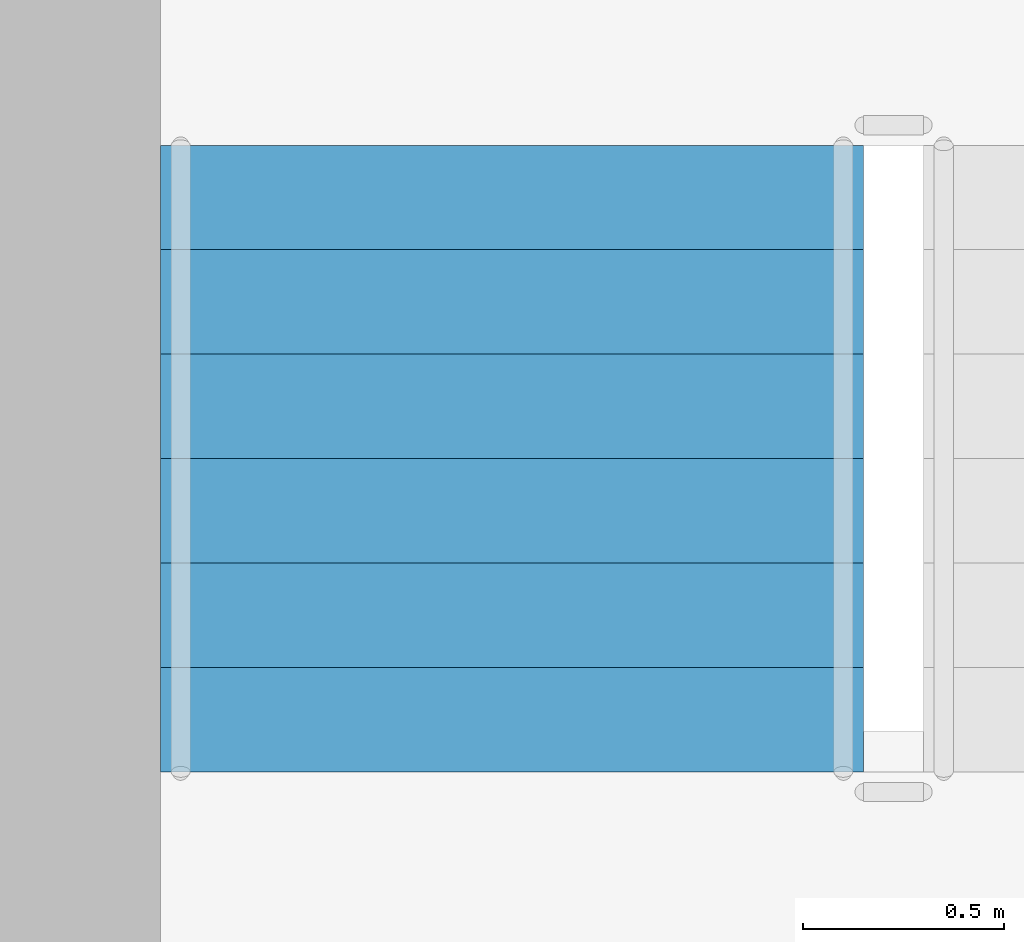
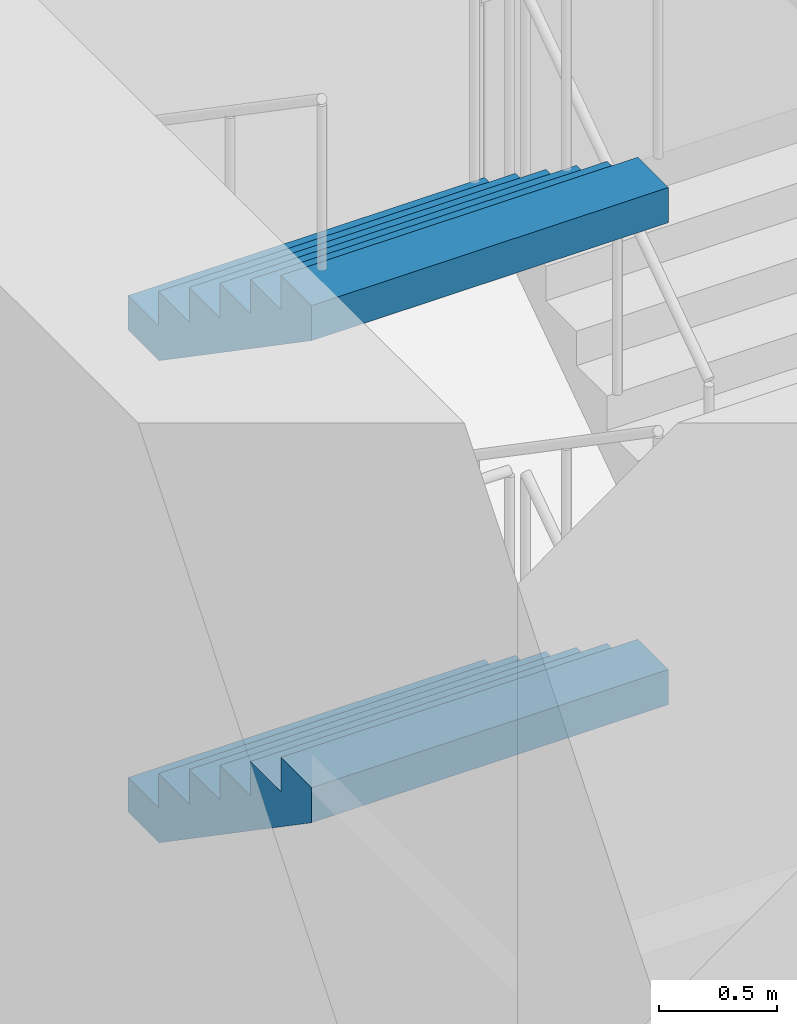
# One storey, part 40 of 59: 2 stair flights, 1 element without a shape of its own.
"""IFC4 building model written with IfcOpenShell, lengths in metres."""

from ifc_helpers import new_model, si_unit, direction, frame, origin, place, context, subcontext, project, spatial, faceted_brep, material, type_object, element, aggregate, save


model = new_model("IFC4")

# Units and contexts
model_context = context("Model", 3, precision=1e-05, world=origin(), true_north=direction((0.0, 1.0)))
body_context = subcontext(model_context, "Body", "Model", "MODEL_VIEW")
ifc_project = project(units=[si_unit("LENGTHUNIT", "METRE"), si_unit("AREAUNIT", "SQUARE_METRE"), si_unit("VOLUMEUNIT", "CUBIC_METRE"), si_unit("PLANEANGLEUNIT", "RADIAN"), si_unit("MASSUNIT", "GRAM", prefix="KILO")], contexts=[model_context])

# Site, building, storey
site_placement = place(None, origin())
site = spatial("IfcSite", under=ifc_project, at=site_placement, CompositionType="ELEMENT")
building_placement = place(site_placement, origin())
building = spatial("IfcBuilding", under=site, at=building_placement, Name="Ipe Terrace Towers", CompositionType="ELEMENT")
storey_placement = place(building_placement, frame((0.0, 0.0, 6.0)))
storey = spatial("IfcBuildingStorey", under=building, at=storey_placement, Name="L01", CompositionType="ELEMENT", Elevation=6.0)

# Stair, stair flights
ifc_material_1 = material(Name="Concrete C30/37", Category="concrete")
stair_type = type_object("IfcStairType", Name="Protected exit stair", PredefinedType="HALF_TURN_STAIR", material=ifc_material_1)
stair_placement = place(storey_placement, origin())
stair = element("IfcStair", 1, at=stair_placement, inside=storey, type_object=stair_type, Name="L01 Exit stair T2-C1", PredefinedType="HALF_TURN_STAIR")
ifc_material_2 = material(Name="Concrete C30/37", Category="concrete")
stair_flight_type = type_object("IfcStairFlightType", Name="Exit stair flight 1750", PredefinedType="STRAIGHT", material=ifc_material_2)
stair_flight_1_placement = place(storey_placement, frame((31.324951171875, 11.260009765625, 1.25), z_axis=(0.0, 0.0, 1.0), x_axis=(0.0, -1.0, 0.0)))
stair_flight_1 = element("IfcStairFlight", 2, at=stair_flight_1_placement, type_object=stair_flight_type, Name="T2-ST1 flight 2", NumberOfRisers=7, NumberOfTreads=6, PredefinedType="STRAIGHT", RiserHeight=0.178571429, TreadLength=0.26, context=body_context, shape_type="Brep", body=[
    faceted_brep([(0.264892578125, -0.875, 0.0), (1.56005859375, -0.875, 0.8896484375), (1.56005859375, -0.875, 1.071533203125), (1.300048828125, -0.875, 1.071533203125), (1.300048828125, -0.875, 0.892822265625), (1.0400390625, -0.875, 0.892822265625), (1.0400390625, -0.875, 0.71435546875), (0.780029296875, -0.875, 0.71435546875), (0.780029296875, -0.875, 0.53564453125), (0.52001953125, -0.875, 0.53564453125), (0.52001953125, -0.875, 0.357177734375), (0.260009765625, -0.875, 0.357177734375), (0.260009765625, -0.875, 0.178466796875), (0.0, -0.875, 0.178466796875), (0.0, -0.875, 0.0), (0.0, 0.875, 0.0), (0.0, 0.875, 0.178466796875), (0.260009765625, 0.875, 0.178466796875), (0.260009765625, 0.875, 0.357177734375), (0.52001953125, 0.875, 0.357177734375), (0.52001953125, 0.875, 0.53564453125), (0.780029296875, 0.875, 0.53564453125), (0.780029296875, 0.875, 0.71435546875), (1.0400390625, 0.875, 0.71435546875), (1.0400390625, 0.875, 0.892822265625), (1.300048828125, 0.875, 0.892822265625), (1.300048828125, 0.875, 1.071533203125), (1.56005859375, 0.875, 1.071533203125), (1.56005859375, 0.875, 0.8896484375), (0.264892578125, 0.875, 0.0), (0.0, -0.300048828125, 0.178466796875), (0.0, -0.1201171875, 0.178466796875), (0.0, -0.06005859375, 0.178466796875), (0.0, -0.030029296875, 0.178466796875), (0.0, -0.010009765625, 0.178466796875), (0.0, 0.0, 0.178466796875), (0.0, 0.010009765625, 0.178466796875), (0.0, 0.030029296875, 0.178466796875), (0.0, 0.06005859375, 0.178466796875), (0.0, 0.1201171875, 0.178466796875), (0.0, 0.300048828125, 0.178466796875), (0.0, 0.300048828125, 0.0), (0.0, 0.1201171875, 0.0), (0.0, 0.06005859375, 0.0), (0.0, 0.030029296875, 0.0), (0.0, 0.010009765625, 0.0), (0.0, 0.0, 0.0), (0.0, -0.010009765625, 0.0), (0.0, -0.030029296875, 0.0), (0.0, -0.06005859375, 0.0), (0.0, -0.1201171875, 0.0), (0.0, -0.300048828125, 0.0), (0.260009765625, -0.300048828125, 0.178466796875), (0.260009765625, -0.1201171875, 0.178466796875), (0.260009765625, -0.06005859375, 0.178466796875), (0.260009765625, -0.030029296875, 0.178466796875), (0.260009765625, -0.010009765625, 0.178466796875), (0.260009765625, 0.0, 0.178466796875), (0.260009765625, 0.010009765625, 0.178466796875), (0.260009765625, 0.030029296875, 0.178466796875), (0.260009765625, 0.06005859375, 0.178466796875), (0.260009765625, 0.1201171875, 0.178466796875), (0.260009765625, 0.300048828125, 0.178466796875), (0.260009765625, -0.300048828125, 0.357177734375), (0.260009765625, -0.1201171875, 0.357177734375), (0.260009765625, -0.06005859375, 0.357177734375), (0.260009765625, -0.030029296875, 0.357177734375), (0.260009765625, -0.010009765625, 0.357177734375), (0.260009765625, 0.0, 0.357177734375), (0.260009765625, 0.010009765625, 0.357177734375), (0.260009765625, 0.030029296875, 0.357177734375), (0.260009765625, 0.06005859375, 0.357177734375), (0.260009765625, 0.1201171875, 0.357177734375), (0.260009765625, 0.300048828125, 0.357177734375), (0.52001953125, -0.300048828125, 0.357177734375), (0.52001953125, -0.1201171875, 0.357177734375), (0.52001953125, -0.06005859375, 0.357177734375), (0.52001953125, -0.030029296875, 0.357177734375), (0.52001953125, -0.010009765625, 0.357177734375), (0.52001953125, 0.0, 0.357177734375), (0.52001953125, 0.010009765625, 0.357177734375), (0.52001953125, 0.030029296875, 0.357177734375), (0.52001953125, 0.06005859375, 0.357177734375), (0.52001953125, 0.1201171875, 0.357177734375), (0.52001953125, 0.300048828125, 0.357177734375), (0.52001953125, -0.300048828125, 0.53564453125), (0.52001953125, -0.1201171875, 0.53564453125), (0.52001953125, -0.06005859375, 0.53564453125), (0.52001953125, -0.030029296875, 0.53564453125), (0.52001953125, -0.010009765625, 0.53564453125), (0.52001953125, 0.0, 0.53564453125), (0.52001953125, 0.010009765625, 0.53564453125), (0.52001953125, 0.030029296875, 0.53564453125), (0.52001953125, 0.06005859375, 0.53564453125), (0.52001953125, 0.1201171875, 0.53564453125), (0.52001953125, 0.300048828125, 0.53564453125), (0.780029296875, -0.300048828125, 0.53564453125), (0.780029296875, -0.1201171875, 0.53564453125), (0.780029296875, -0.06005859375, 0.53564453125), (0.780029296875, -0.030029296875, 0.53564453125), (0.780029296875, -0.010009765625, 0.53564453125), (0.780029296875, 0.0, 0.53564453125), (0.780029296875, 0.010009765625, 0.53564453125), (0.780029296875, 0.030029296875, 0.53564453125), (0.780029296875, 0.06005859375, 0.53564453125), (0.780029296875, 0.1201171875, 0.53564453125), (0.780029296875, 0.300048828125, 0.53564453125), (0.780029296875, -0.300048828125, 0.71435546875), (0.780029296875, -0.1201171875, 0.71435546875), (0.780029296875, -0.06005859375, 0.71435546875), (0.780029296875, -0.030029296875, 0.71435546875), (0.780029296875, -0.010009765625, 0.71435546875), (0.780029296875, 0.0, 0.71435546875), (0.780029296875, 0.010009765625, 0.71435546875), (0.780029296875, 0.030029296875, 0.71435546875), (0.780029296875, 0.06005859375, 0.71435546875), (0.780029296875, 0.1201171875, 0.71435546875), (0.780029296875, 0.300048828125, 0.71435546875), (1.0400390625, -0.300048828125, 0.71435546875), (1.0400390625, -0.1201171875, 0.71435546875), (1.0400390625, -0.06005859375, 0.71435546875), (1.0400390625, -0.030029296875, 0.71435546875), (1.0400390625, -0.010009765625, 0.71435546875), (1.0400390625, 0.0, 0.71435546875), (1.0400390625, 0.010009765625, 0.71435546875), (1.0400390625, 0.030029296875, 0.71435546875), (1.0400390625, 0.06005859375, 0.71435546875), (1.0400390625, 0.1201171875, 0.71435546875), (1.0400390625, 0.300048828125, 0.71435546875), (1.0400390625, -0.300048828125, 0.892822265625), (1.0400390625, -0.1201171875, 0.892822265625), (1.0400390625, -0.06005859375, 0.892822265625), (1.0400390625, -0.030029296875, 0.892822265625), (1.0400390625, -0.010009765625, 0.892822265625), (1.0400390625, 0.0, 0.892822265625), (1.0400390625, 0.010009765625, 0.892822265625), (1.0400390625, 0.030029296875, 0.892822265625), (1.0400390625, 0.06005859375, 0.892822265625), (1.0400390625, 0.1201171875, 0.892822265625), (1.0400390625, 0.300048828125, 0.892822265625), (1.300048828125, -0.300048828125, 0.892822265625), (1.300048828125, -0.1201171875, 0.892822265625), (1.300048828125, -0.06005859375, 0.892822265625), (1.300048828125, -0.030029296875, 0.892822265625), (1.300048828125, -0.010009765625, 0.892822265625), (1.300048828125, 0.0, 0.892822265625), (1.300048828125, 0.010009765625, 0.892822265625), (1.300048828125, 0.030029296875, 0.892822265625), (1.300048828125, 0.06005859375, 0.892822265625), (1.300048828125, 0.1201171875, 0.892822265625), (1.300048828125, 0.300048828125, 0.892822265625), (1.300048828125, -0.300048828125, 1.071533203125), (1.300048828125, -0.1201171875, 1.071533203125), (1.300048828125, -0.06005859375, 1.071533203125), (1.300048828125, -0.030029296875, 1.071533203125), (1.300048828125, -0.010009765625, 1.071533203125), (1.300048828125, 0.0, 1.071533203125), (1.300048828125, 0.010009765625, 1.071533203125), (1.300048828125, 0.030029296875, 1.071533203125), (1.300048828125, 0.06005859375, 1.071533203125), (1.300048828125, 0.1201171875, 1.071533203125), (1.300048828125, 0.300048828125, 1.071533203125), (1.56005859375, -0.300048828125, 1.071533203125), (1.56005859375, -0.1201171875, 1.071533203125), (1.56005859375, -0.06005859375, 1.071533203125), (1.56005859375, -0.030029296875, 1.071533203125), (1.56005859375, -0.010009765625, 1.071533203125), (1.56005859375, 0.0, 1.071533203125), (1.56005859375, 0.010009765625, 1.071533203125), (1.56005859375, 0.030029296875, 1.071533203125), (1.56005859375, 0.06005859375, 1.071533203125), (1.56005859375, 0.1201171875, 1.071533203125), (1.56005859375, 0.300048828125, 1.071533203125), (1.56005859375, -0.300048828125, 0.8896484375), (1.56005859375, -0.1201171875, 0.8896484375), (1.56005859375, -0.06005859375, 0.8896484375), (1.56005859375, -0.030029296875, 0.8896484375), (1.56005859375, -0.010009765625, 0.8896484375), (1.56005859375, 0.0, 0.8896484375), (1.56005859375, 0.010009765625, 0.8896484375), (1.56005859375, 0.030029296875, 0.8896484375), (1.56005859375, 0.06005859375, 0.8896484375), (1.56005859375, 0.1201171875, 0.8896484375), (1.56005859375, 0.300048828125, 0.8896484375), (0.264892578125, -0.300048828125, 0.0), (0.264892578125, -0.1201171875, 0.0), (0.264892578125, -0.06005859375, 0.0), (0.264892578125, -0.030029296875, 0.0), (0.264892578125, -0.010009765625, 0.0), (0.264892578125, 0.0, 0.0), (0.264892578125, 0.010009765625, 0.0), (0.264892578125, 0.030029296875, 0.0), (0.264892578125, 0.06005859375, 0.0), (0.264892578125, 0.1201171875, 0.0), (0.264892578125, 0.300048828125, 0.0)], [[[0, 1, 2, 3, 4, 5, 6, 7, 8, 9, 10, 11, 12, 13, 14]], [[15, 16, 17, 18, 19, 20, 21, 22, 23, 24, 25, 26, 27, 28, 29]], [[13, 30, 31, 32, 33, 34, 35, 36, 37, 38, 39, 40, 16, 15, 41, 42, 43, 44, 45, 46, 47, 48, 49, 50, 51, 14]], [[12, 52, 53, 54, 55, 56, 57, 58, 59, 60, 61, 62, 17, 16, 40, 39, 38, 37, 36, 35, 34, 33, 32, 31, 30, 13]], [[11, 63, 64, 65, 66, 67, 68, 69, 70, 71, 72, 73, 18, 17, 62, 61, 60, 59, 58, 57, 56, 55, 54, 53, 52, 12]], [[10, 74, 75, 76, 77, 78, 79, 80, 81, 82, 83, 84, 19, 18, 73, 72, 71, 70, 69, 68, 67, 66, 65, 64, 63, 11]], [[9, 85, 86, 87, 88, 89, 90, 91, 92, 93, 94, 95, 20, 19, 84, 83, 82, 81, 80, 79, 78, 77, 76, 75, 74, 10]], [[8, 96, 97, 98, 99, 100, 101, 102, 103, 104, 105, 106, 21, 20, 95, 94, 93, 92, 91, 90, 89, 88, 87, 86, 85, 9]], [[7, 107, 108, 109, 110, 111, 112, 113, 114, 115, 116, 117, 22, 21, 106, 105, 104, 103, 102, 101, 100, 99, 98, 97, 96, 8]], [[6, 118, 119, 120, 121, 122, 123, 124, 125, 126, 127, 128, 23, 22, 117, 116, 115, 114, 113, 112, 111, 110, 109, 108, 107, 7]], [[5, 129, 130, 131, 132, 133, 134, 135, 136, 137, 138, 139, 24, 23, 128, 127, 126, 125, 124, 123, 122, 121, 120, 119, 118, 6]], [[4, 140, 141, 142, 143, 144, 145, 146, 147, 148, 149, 150, 25, 24, 139, 138, 137, 136, 135, 134, 133, 132, 131, 130, 129, 5]], [[3, 151, 152, 153, 154, 155, 156, 157, 158, 159, 160, 161, 26, 25, 150, 149, 148, 147, 146, 145, 144, 143, 142, 141, 140, 4]], [[2, 162, 163, 164, 165, 166, 167, 168, 169, 170, 171, 172, 27, 26, 161, 160, 159, 158, 157, 156, 155, 154, 153, 152, 151, 3]], [[1, 173, 174, 175, 176, 177, 178, 179, 180, 181, 182, 183, 28, 27, 172, 171, 170, 169, 168, 167, 166, 165, 164, 163, 162, 2]], [[0, 184, 185, 186, 187, 188, 189, 190, 191, 192, 193, 194, 29, 28, 183, 182, 181, 180, 179, 178, 177, 176, 175, 174, 173, 1]], [[14, 51, 50, 49, 48, 47, 46, 45, 44, 43, 42, 41, 15, 29, 194, 193, 192, 191, 190, 189, 188, 187, 186, 185, 184, 0]]]),
])
stair_flight_2_placement = place(storey_placement, frame((31.324951171875, 11.260009765625, 3.75), z_axis=(0.0, 0.0, 1.0), x_axis=(0.0, -1.0, 0.0)))
stair_flight_2 = element("IfcStairFlight", 3, at=stair_flight_2_placement, type_object=stair_flight_type, Name="T2-ST1 flight 4", NumberOfRisers=7, NumberOfTreads=6, PredefinedType="STRAIGHT", RiserHeight=0.178571429, TreadLength=0.26, context=body_context, shape_type="Brep", body=[
    faceted_brep([(0.264892578125, -0.875, 0.0), (1.56005859375, -0.875, 0.8896484375), (1.56005859375, -0.875, 1.071533203125), (1.300048828125, -0.875, 1.071533203125), (1.300048828125, -0.875, 0.892822265625), (1.0400390625, -0.875, 0.892822265625), (1.0400390625, -0.875, 0.71435546875), (0.780029296875, -0.875, 0.71435546875), (0.780029296875, -0.875, 0.53564453125), (0.52001953125, -0.875, 0.53564453125), (0.52001953125, -0.875, 0.357177734375), (0.260009765625, -0.875, 0.357177734375), (0.260009765625, -0.875, 0.178466796875), (0.0, -0.875, 0.178466796875), (0.0, -0.875, 0.0), (0.0, 0.875, 0.0), (0.0, 0.875, 0.178466796875), (0.260009765625, 0.875, 0.178466796875), (0.260009765625, 0.875, 0.357177734375), (0.52001953125, 0.875, 0.357177734375), (0.52001953125, 0.875, 0.53564453125), (0.780029296875, 0.875, 0.53564453125), (0.780029296875, 0.875, 0.71435546875), (1.0400390625, 0.875, 0.71435546875), (1.0400390625, 0.875, 0.892822265625), (1.300048828125, 0.875, 0.892822265625), (1.300048828125, 0.875, 1.071533203125), (1.56005859375, 0.875, 1.071533203125), (1.56005859375, 0.875, 0.8896484375), (0.264892578125, 0.875, 0.0), (0.0, -0.300048828125, 0.178466796875), (0.0, -0.1201171875, 0.178466796875), (0.0, -0.06005859375, 0.178466796875), (0.0, -0.030029296875, 0.178466796875), (0.0, -0.010009765625, 0.178466796875), (0.0, 0.0, 0.178466796875), (0.0, 0.010009765625, 0.178466796875), (0.0, 0.030029296875, 0.178466796875), (0.0, 0.06005859375, 0.178466796875), (0.0, 0.1201171875, 0.178466796875), (0.0, 0.300048828125, 0.178466796875), (0.0, 0.300048828125, 0.0), (0.0, 0.1201171875, 0.0), (0.0, 0.06005859375, 0.0), (0.0, 0.030029296875, 0.0), (0.0, 0.010009765625, 0.0), (0.0, 0.0, 0.0), (0.0, -0.010009765625, 0.0), (0.0, -0.030029296875, 0.0), (0.0, -0.06005859375, 0.0), (0.0, -0.1201171875, 0.0), (0.0, -0.300048828125, 0.0), (0.260009765625, -0.300048828125, 0.178466796875), (0.260009765625, -0.1201171875, 0.178466796875), (0.260009765625, -0.06005859375, 0.178466796875), (0.260009765625, -0.030029296875, 0.178466796875), (0.260009765625, -0.010009765625, 0.178466796875), (0.260009765625, 0.0, 0.178466796875), (0.260009765625, 0.010009765625, 0.178466796875), (0.260009765625, 0.030029296875, 0.178466796875), (0.260009765625, 0.06005859375, 0.178466796875), (0.260009765625, 0.1201171875, 0.178466796875), (0.260009765625, 0.300048828125, 0.178466796875), (0.260009765625, -0.300048828125, 0.357177734375), (0.260009765625, -0.1201171875, 0.357177734375), (0.260009765625, -0.06005859375, 0.357177734375), (0.260009765625, -0.030029296875, 0.357177734375), (0.260009765625, -0.010009765625, 0.357177734375), (0.260009765625, 0.0, 0.357177734375), (0.260009765625, 0.010009765625, 0.357177734375), (0.260009765625, 0.030029296875, 0.357177734375), (0.260009765625, 0.06005859375, 0.357177734375), (0.260009765625, 0.1201171875, 0.357177734375), (0.260009765625, 0.300048828125, 0.357177734375), (0.52001953125, -0.300048828125, 0.357177734375), (0.52001953125, -0.1201171875, 0.357177734375), (0.52001953125, -0.06005859375, 0.357177734375), (0.52001953125, -0.030029296875, 0.357177734375), (0.52001953125, -0.010009765625, 0.357177734375), (0.52001953125, 0.0, 0.357177734375), (0.52001953125, 0.010009765625, 0.357177734375), (0.52001953125, 0.030029296875, 0.357177734375), (0.52001953125, 0.06005859375, 0.357177734375), (0.52001953125, 0.1201171875, 0.357177734375), (0.52001953125, 0.300048828125, 0.357177734375), (0.52001953125, -0.300048828125, 0.53564453125), (0.52001953125, -0.1201171875, 0.53564453125), (0.52001953125, -0.06005859375, 0.53564453125), (0.52001953125, -0.030029296875, 0.53564453125), (0.52001953125, -0.010009765625, 0.53564453125), (0.52001953125, 0.0, 0.53564453125), (0.52001953125, 0.010009765625, 0.53564453125), (0.52001953125, 0.030029296875, 0.53564453125), (0.52001953125, 0.06005859375, 0.53564453125), (0.52001953125, 0.1201171875, 0.53564453125), (0.52001953125, 0.300048828125, 0.53564453125), (0.780029296875, -0.300048828125, 0.53564453125), (0.780029296875, -0.1201171875, 0.53564453125), (0.780029296875, -0.06005859375, 0.53564453125), (0.780029296875, -0.030029296875, 0.53564453125), (0.780029296875, -0.010009765625, 0.53564453125), (0.780029296875, 0.0, 0.53564453125), (0.780029296875, 0.010009765625, 0.53564453125), (0.780029296875, 0.030029296875, 0.53564453125), (0.780029296875, 0.06005859375, 0.53564453125), (0.780029296875, 0.1201171875, 0.53564453125), (0.780029296875, 0.300048828125, 0.53564453125), (0.780029296875, -0.300048828125, 0.71435546875), (0.780029296875, -0.1201171875, 0.71435546875), (0.780029296875, -0.06005859375, 0.71435546875), (0.780029296875, -0.030029296875, 0.71435546875), (0.780029296875, -0.010009765625, 0.71435546875), (0.780029296875, 0.0, 0.71435546875), (0.780029296875, 0.010009765625, 0.71435546875), (0.780029296875, 0.030029296875, 0.71435546875), (0.780029296875, 0.06005859375, 0.71435546875), (0.780029296875, 0.1201171875, 0.71435546875), (0.780029296875, 0.300048828125, 0.71435546875), (1.0400390625, -0.300048828125, 0.71435546875), (1.0400390625, -0.1201171875, 0.71435546875), (1.0400390625, -0.06005859375, 0.71435546875), (1.0400390625, -0.030029296875, 0.71435546875), (1.0400390625, -0.010009765625, 0.71435546875), (1.0400390625, 0.0, 0.71435546875), (1.0400390625, 0.010009765625, 0.71435546875), (1.0400390625, 0.030029296875, 0.71435546875), (1.0400390625, 0.06005859375, 0.71435546875), (1.0400390625, 0.1201171875, 0.71435546875), (1.0400390625, 0.300048828125, 0.71435546875), (1.0400390625, -0.300048828125, 0.892822265625), (1.0400390625, -0.1201171875, 0.892822265625), (1.0400390625, -0.06005859375, 0.892822265625), (1.0400390625, -0.030029296875, 0.892822265625), (1.0400390625, -0.010009765625, 0.892822265625), (1.0400390625, 0.0, 0.892822265625), (1.0400390625, 0.010009765625, 0.892822265625), (1.0400390625, 0.030029296875, 0.892822265625), (1.0400390625, 0.06005859375, 0.892822265625), (1.0400390625, 0.1201171875, 0.892822265625), (1.0400390625, 0.300048828125, 0.892822265625), (1.300048828125, -0.300048828125, 0.892822265625), (1.300048828125, -0.1201171875, 0.892822265625), (1.300048828125, -0.06005859375, 0.892822265625), (1.300048828125, -0.030029296875, 0.892822265625), (1.300048828125, -0.010009765625, 0.892822265625), (1.300048828125, 0.0, 0.892822265625), (1.300048828125, 0.010009765625, 0.892822265625), (1.300048828125, 0.030029296875, 0.892822265625), (1.300048828125, 0.06005859375, 0.892822265625), (1.300048828125, 0.1201171875, 0.892822265625), (1.300048828125, 0.300048828125, 0.892822265625), (1.300048828125, -0.300048828125, 1.071533203125), (1.300048828125, -0.1201171875, 1.071533203125), (1.300048828125, -0.06005859375, 1.071533203125), (1.300048828125, -0.030029296875, 1.071533203125), (1.300048828125, -0.010009765625, 1.071533203125), (1.300048828125, 0.0, 1.071533203125), (1.300048828125, 0.010009765625, 1.071533203125), (1.300048828125, 0.030029296875, 1.071533203125), (1.300048828125, 0.06005859375, 1.071533203125), (1.300048828125, 0.1201171875, 1.071533203125), (1.300048828125, 0.300048828125, 1.071533203125), (1.56005859375, -0.300048828125, 1.071533203125), (1.56005859375, -0.1201171875, 1.071533203125), (1.56005859375, -0.06005859375, 1.071533203125), (1.56005859375, -0.030029296875, 1.071533203125), (1.56005859375, -0.010009765625, 1.071533203125), (1.56005859375, 0.0, 1.071533203125), (1.56005859375, 0.010009765625, 1.071533203125), (1.56005859375, 0.030029296875, 1.071533203125), (1.56005859375, 0.06005859375, 1.071533203125), (1.56005859375, 0.1201171875, 1.071533203125), (1.56005859375, 0.300048828125, 1.071533203125), (1.56005859375, -0.300048828125, 0.8896484375), (1.56005859375, -0.1201171875, 0.8896484375), (1.56005859375, -0.06005859375, 0.8896484375), (1.56005859375, -0.030029296875, 0.8896484375), (1.56005859375, -0.010009765625, 0.8896484375), (1.56005859375, 0.0, 0.8896484375), (1.56005859375, 0.010009765625, 0.8896484375), (1.56005859375, 0.030029296875, 0.8896484375), (1.56005859375, 0.06005859375, 0.8896484375), (1.56005859375, 0.1201171875, 0.8896484375), (1.56005859375, 0.300048828125, 0.8896484375), (0.264892578125, -0.300048828125, 0.0), (0.264892578125, -0.1201171875, 0.0), (0.264892578125, -0.06005859375, 0.0), (0.264892578125, -0.030029296875, 0.0), (0.264892578125, -0.010009765625, 0.0), (0.264892578125, 0.0, 0.0), (0.264892578125, 0.010009765625, 0.0), (0.264892578125, 0.030029296875, 0.0), (0.264892578125, 0.06005859375, 0.0), (0.264892578125, 0.1201171875, 0.0), (0.264892578125, 0.300048828125, 0.0)], [[[0, 1, 2, 3, 4, 5, 6, 7, 8, 9, 10, 11, 12, 13, 14]], [[15, 16, 17, 18, 19, 20, 21, 22, 23, 24, 25, 26, 27, 28, 29]], [[13, 30, 31, 32, 33, 34, 35, 36, 37, 38, 39, 40, 16, 15, 41, 42, 43, 44, 45, 46, 47, 48, 49, 50, 51, 14]], [[12, 52, 53, 54, 55, 56, 57, 58, 59, 60, 61, 62, 17, 16, 40, 39, 38, 37, 36, 35, 34, 33, 32, 31, 30, 13]], [[11, 63, 64, 65, 66, 67, 68, 69, 70, 71, 72, 73, 18, 17, 62, 61, 60, 59, 58, 57, 56, 55, 54, 53, 52, 12]], [[10, 74, 75, 76, 77, 78, 79, 80, 81, 82, 83, 84, 19, 18, 73, 72, 71, 70, 69, 68, 67, 66, 65, 64, 63, 11]], [[9, 85, 86, 87, 88, 89, 90, 91, 92, 93, 94, 95, 20, 19, 84, 83, 82, 81, 80, 79, 78, 77, 76, 75, 74, 10]], [[8, 96, 97, 98, 99, 100, 101, 102, 103, 104, 105, 106, 21, 20, 95, 94, 93, 92, 91, 90, 89, 88, 87, 86, 85, 9]], [[7, 107, 108, 109, 110, 111, 112, 113, 114, 115, 116, 117, 22, 21, 106, 105, 104, 103, 102, 101, 100, 99, 98, 97, 96, 8]], [[6, 118, 119, 120, 121, 122, 123, 124, 125, 126, 127, 128, 23, 22, 117, 116, 115, 114, 113, 112, 111, 110, 109, 108, 107, 7]], [[5, 129, 130, 131, 132, 133, 134, 135, 136, 137, 138, 139, 24, 23, 128, 127, 126, 125, 124, 123, 122, 121, 120, 119, 118, 6]], [[4, 140, 141, 142, 143, 144, 145, 146, 147, 148, 149, 150, 25, 24, 139, 138, 137, 136, 135, 134, 133, 132, 131, 130, 129, 5]], [[3, 151, 152, 153, 154, 155, 156, 157, 158, 159, 160, 161, 26, 25, 150, 149, 148, 147, 146, 145, 144, 143, 142, 141, 140, 4]], [[2, 162, 163, 164, 165, 166, 167, 168, 169, 170, 171, 172, 27, 26, 161, 160, 159, 158, 157, 156, 155, 154, 153, 152, 151, 3]], [[1, 173, 174, 175, 176, 177, 178, 179, 180, 181, 182, 183, 28, 27, 172, 171, 170, 169, 168, 167, 166, 165, 164, 163, 162, 2]], [[0, 184, 185, 186, 187, 188, 189, 190, 191, 192, 193, 194, 29, 28, 183, 182, 181, 180, 179, 178, 177, 176, 175, 174, 173, 1]], [[14, 51, 50, 49, 48, 47, 46, 45, 44, 43, 42, 41, 15, 29, 194, 193, 192, 191, 190, 189, 188, 187, 186, 185, 184, 0]]]),
])
aggregate(stair, [stair_flight_1, stair_flight_2])

save(model, "model.ifc")
